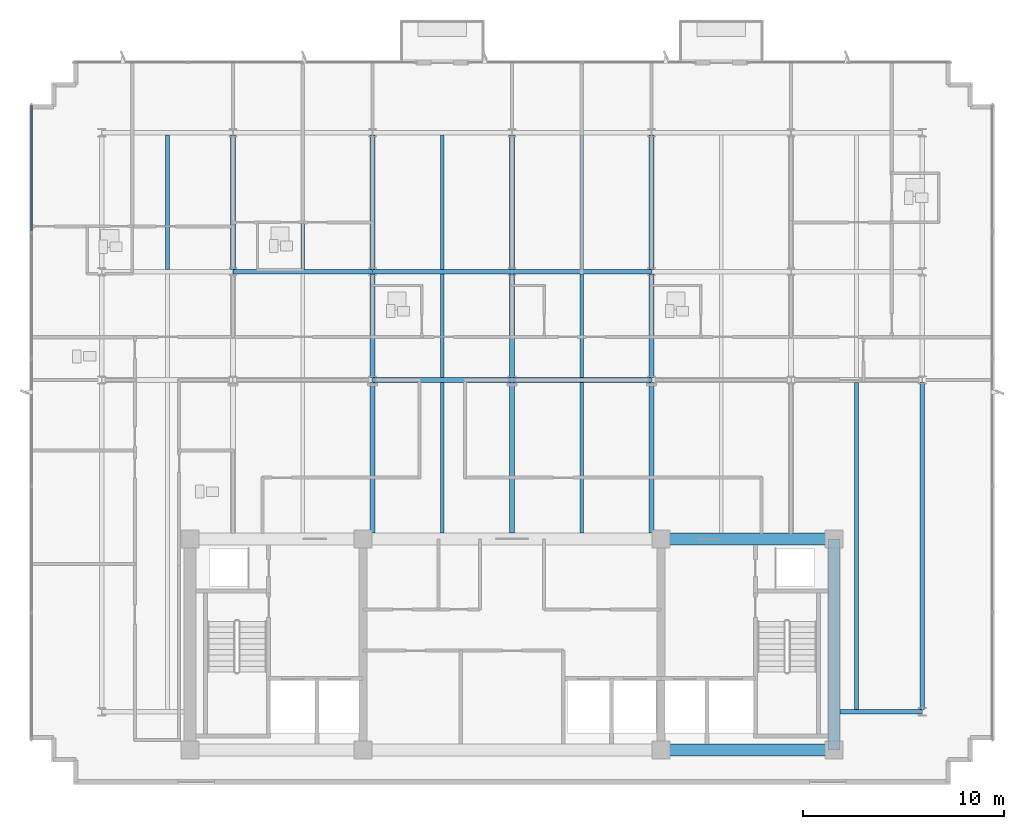
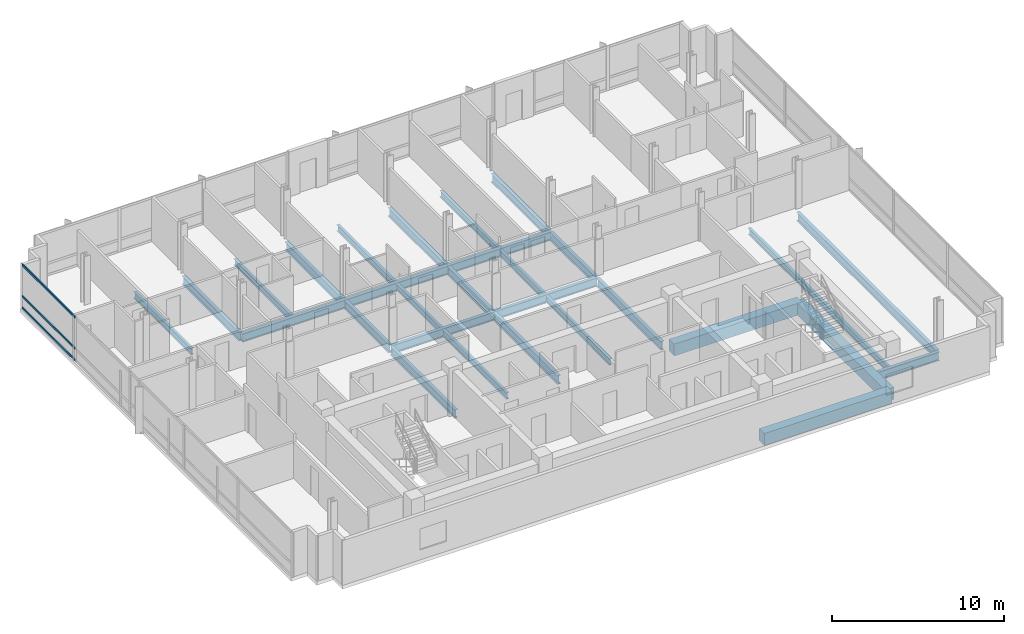
# One storey, part 3 of 14: 29 beams, 3 members, 1 element without a shape of its own.
"""IFC4 building model written with IfcOpenShell, lengths in metres."""

from ifc_helpers import new_model, si_unit, direction, frame, origin, origin_2d, place, context, subcontext, project, spatial, rectangle, i_section, extrude, material, material_profile, profile_set, type_object, element, aggregate, save


model = new_model("IFC4")

# Units and contexts
model_context = context("Model", 3, precision=1e-05, world=origin(), true_north=direction((0.0, 1.0)))
body_context = subcontext(model_context, "Body", "Model", "MODEL_VIEW")
ifc_project = project(units=[si_unit("LENGTHUNIT", "METRE"), si_unit("AREAUNIT", "SQUARE_METRE"), si_unit("VOLUMEUNIT", "CUBIC_METRE"), si_unit("PLANEANGLEUNIT", "RADIAN"), si_unit("MASSUNIT", "GRAM", prefix="KILO")], contexts=[model_context])

# Site, building, storey
site_placement = place(None, origin())
site = spatial("IfcSite", under=ifc_project, at=site_placement, CompositionType="ELEMENT")
building_placement = place(site_placement, origin())
building = spatial("IfcBuilding", under=site, at=building_placement, Name="Solmavex Isthmus Hotel", CompositionType="ELEMENT")
storey_placement = place(building_placement, frame((0.0, 0.0, 255.75)))
storey = spatial("IfcBuildingStorey", under=building, at=storey_placement, Name="L69", CompositionType="ELEMENT", Elevation=255.75)

# Beams
ifc_material_1 = material(Name="Steel ASTM A992 Grade 50", Category="steel")
ifc_material_profile_1 = material_profile(ifc_material_1, i_section(OverallWidth=0.1904296875, OverallDepth=0.456787109375, WebThickness=0.009033203125, FlangeThickness=0.014404296875, FilletRadius=0.0126953125, at=origin_2d()), Name="W18X50")
ifc_profile_set_1 = profile_set([ifc_material_profile_1], Name="Steel ASTM A992 Grade 50")
beam_type_1 = type_object("IfcBeamType", Name="BM-BJ-W18X50", PredefinedType="JOIST", material=ifc_profile_set_1)
for number, where, z_axis, x_axis, name in (
    (1, (-17.135986328125, 10.90185546875, -0.488525390625), (0.0, 1.0, 0.0), (-1.0, 0.0, 0.0), "Secondary Floor Joist L69-J03"),
    (2, (-10.404052734375, 10.90185546875, -0.488525390625), (0.0, 1.0, 0.0), (-1.0, 0.0, 0.0), "Secondary Floor Joist L69-J06"),
):
    element("IfcBeam", number, at=place(storey_placement, frame(where, z_axis=z_axis, x_axis=x_axis)), inside=storey, type_object=beam_type_1, Name=name, PredefinedType="JOIST", context=body_context, shape_type="SweptSolid", body=[
        extrude(i_section(OverallWidth=0.1904296875, OverallDepth=0.456787109375, WebThickness=0.009033203125, FlangeThickness=0.014404296875, FilletRadius=0.0126953125, at=origin_2d()), origin(), (0.0, 0.0, 1.0), 6.682861328125),
    ])
beam_1_placement = place(storey_placement, frame((-3.468017578125, -2.199951171875, -0.488525390625), z_axis=(0.0, 1.0, 0.0), x_axis=(-1.0, 0.0, 0.0)))
element("IfcBeam", 3, at=beam_1_placement, inside=storey, type_object=beam_type_1, Name="Secondary Floor Joist L69-J07", PredefinedType="JOIST", context=body_context, shape_type="SweptSolid", body=[
    extrude(i_section(OverallWidth=0.1904296875, OverallDepth=0.456787109375, WebThickness=0.009033203125, FlangeThickness=0.014404296875, FilletRadius=0.0126953125, at=origin_2d()), origin(), (0.0, 0.0, 1.0), 7.486083984375),
])
beam_2_placement = place(storey_placement, frame((-3.468017578125, 5.513916015625, -0.488525390625), z_axis=(0.0, 1.0, 0.0), x_axis=(-1.0, 0.0, 0.0)))
element("IfcBeam", 4, at=beam_2_placement, inside=storey, type_object=beam_type_1, Name="Secondary Floor Joist L69-J08", PredefinedType="JOIST", context=body_context, shape_type="SweptSolid", body=[
    extrude(i_section(OverallWidth=0.1904296875, OverallDepth=0.456787109375, WebThickness=0.009033203125, FlangeThickness=0.014404296875, FilletRadius=0.0126953125, at=origin_2d()), origin(), (0.0, 0.0, 1.0), 5.16015625),
])
beam_3_placement = place(storey_placement, frame((-3.468017578125, 10.90185546875, -0.488525390625), z_axis=(0.0, 1.0, 0.0), x_axis=(-1.0, 0.0, 0.0)))
element("IfcBeam", 5, at=beam_3_placement, inside=storey, type_object=beam_type_1, Name="Secondary Floor Joist L69-J09", PredefinedType="JOIST", context=body_context, shape_type="SweptSolid", body=[
    extrude(i_section(OverallWidth=0.1904296875, OverallDepth=0.456787109375, WebThickness=0.009033203125, FlangeThickness=0.014404296875, FilletRadius=0.0126953125, at=origin_2d()), origin(), (0.0, 0.0, 1.0), 6.682861328125),
])
beam_4_placement = place(storey_placement, frame((3.468017578125, -2.199951171875, -0.488525390625), z_axis=(0.0, 1.0, 0.0), x_axis=(-1.0, 0.0, 0.0)))
element("IfcBeam", 6, at=beam_4_placement, inside=storey, type_object=beam_type_1, Name="Secondary Floor Joist L69-J10", PredefinedType="JOIST", context=body_context, shape_type="SweptSolid", body=[
    extrude(i_section(OverallWidth=0.1904296875, OverallDepth=0.456787109375, WebThickness=0.009033203125, FlangeThickness=0.014404296875, FilletRadius=0.0126953125, at=origin_2d()), origin(), (0.0, 0.0, 1.0), 7.486083984375),
])
beam_5_placement = place(storey_placement, frame((3.468017578125, 5.513916015625, -0.488525390625), z_axis=(0.0, 1.0, 0.0), x_axis=(-1.0, 0.0, 0.0)))
element("IfcBeam", 7, at=beam_5_placement, inside=storey, type_object=beam_type_1, Name="Secondary Floor Joist L69-J11", PredefinedType="JOIST", context=body_context, shape_type="SweptSolid", body=[
    extrude(i_section(OverallWidth=0.1904296875, OverallDepth=0.456787109375, WebThickness=0.009033203125, FlangeThickness=0.014404296875, FilletRadius=0.0126953125, at=origin_2d()), origin(), (0.0, 0.0, 1.0), 5.16015625),
])
beam_6_placement = place(storey_placement, frame((3.468017578125, 10.90185546875, -0.488525390625), z_axis=(0.0, 1.0, 0.0), x_axis=(-1.0, 0.0, 0.0)))
element("IfcBeam", 8, at=beam_6_placement, inside=storey, type_object=beam_type_1, Name="Secondary Floor Joist L69-J12", PredefinedType="JOIST", context=body_context, shape_type="SweptSolid", body=[
    extrude(i_section(OverallWidth=0.1904296875, OverallDepth=0.456787109375, WebThickness=0.009033203125, FlangeThickness=0.014404296875, FilletRadius=0.0126953125, at=origin_2d()), origin(), (0.0, 0.0, 1.0), 6.682861328125),
])
beam_7_placement = place(storey_placement, frame((17.135986328125, -10.98486328125, -0.488525390625), z_axis=(0.0, 1.0, 0.0), x_axis=(-1.0, 0.0, 0.0)))
element("IfcBeam", 9, at=beam_7_placement, inside=storey, type_object=beam_type_1, Name="Secondary Floor Joist L69-J16", PredefinedType="JOIST", context=body_context, shape_type="SweptSolid", body=[
    extrude(i_section(OverallWidth=0.1904296875, OverallDepth=0.456787109375, WebThickness=0.009033203125, FlangeThickness=0.014404296875, FilletRadius=0.0126953125, at=origin_2d()), origin(), (0.0, 0.0, 1.0), 16.27099609375),
])
ifc_material_profile_2 = material_profile(ifc_material_1, i_section(OverallWidth=0.227783203125, OverallDepth=0.602783203125, WebThickness=0.010498046875, FlangeThickness=0.014892578125, FilletRadius=0.01513671875, at=origin_2d()), Name="W24X68")
ifc_profile_set_2 = profile_set([ifc_material_profile_2], Name="Steel ASTM A992 Grade 50")
beam_type_2 = type_object("IfcBeamType", Name="BM-BM-W24X68", PredefinedType="BEAM", material=ifc_profile_set_2)
for number, where, z_axis, x_axis, name in (
    (10, (-6.93603515625, 5.39990234375, -0.561279296875), (1.0, 0.0, 0.0), (0.0, 1.0, 0.0), "Floor Girder L69-UG05"),
    (11, (0.0, 5.39990234375, -0.561279296875), (1.0, 0.0, 0.0), (0.0, 1.0, 0.0), "Floor Girder L69-UG06"),
    (12, (-13.8720703125, 10.7880859375, -0.561279296875), (1.0, 0.0, 0.0), (0.0, 1.0, 0.0), "Floor Girder L69-UG10"),
    (13, (-6.93603515625, 10.7880859375, -0.561279296875), (1.0, 0.0, 0.0), (0.0, 1.0, 0.0), "Floor Girder L69-UG11"),
    (14, (0.0, 10.7880859375, -0.561279296875), (1.0, 0.0, 0.0), (0.0, 1.0, 0.0), "Floor Girder L69-UG12"),
):
    element("IfcBeam", number, at=place(storey_placement, frame(where, z_axis=z_axis, x_axis=x_axis)), inside=storey, type_object=beam_type_2, Name=name, PredefinedType="BEAM", context=body_context, shape_type="SweptSolid", body=[
        extrude(i_section(OverallWidth=0.227783203125, OverallDepth=0.602783203125, WebThickness=0.010498046875, FlangeThickness=0.014892578125, FilletRadius=0.01513671875, at=origin_2d()), origin(), (0.0, 0.0, 1.0), 6.93603515625),
    ])
beam_8_placement = place(storey_placement, frame((-13.8720703125, 10.90185546875, -0.561279296875), z_axis=(0.0, 1.0, 0.0), x_axis=(-1.0, 0.0, 0.0)))
element("IfcBeam", 15, at=beam_8_placement, inside=storey, type_object=beam_type_2, Name="Floor Beam L69-VG26", PredefinedType="BEAM", context=body_context, shape_type="SweptSolid", body=[
    extrude(i_section(OverallWidth=0.227783203125, OverallDepth=0.602783203125, WebThickness=0.010498046875, FlangeThickness=0.014892578125, FilletRadius=0.01513671875, at=origin_2d()), origin(), (0.0, 0.0, 1.0), 6.682861328125),
])
beam_9_placement = place(storey_placement, frame((-6.93603515625, -2.199951171875, -0.561279296875), z_axis=(0.0, 1.0, 0.0), x_axis=(-1.0, 0.0, 0.0)))
element("IfcBeam", 16, at=beam_9_placement, inside=storey, type_object=beam_type_2, Name="Floor Beam L69-VG27", PredefinedType="BEAM", context=body_context, shape_type="SweptSolid", body=[
    extrude(i_section(OverallWidth=0.227783203125, OverallDepth=0.602783203125, WebThickness=0.010498046875, FlangeThickness=0.014892578125, FilletRadius=0.01513671875, at=origin_2d()), origin(), (0.0, 0.0, 1.0), 7.486083984375),
])
beam_10_placement = place(storey_placement, frame((-6.93603515625, 5.513916015625, -0.561279296875), z_axis=(0.0, 1.0, 0.0), x_axis=(-1.0, 0.0, 0.0)))
element("IfcBeam", 17, at=beam_10_placement, inside=storey, type_object=beam_type_2, Name="Floor Beam L69-VG28", PredefinedType="BEAM", context=body_context, shape_type="SweptSolid", body=[
    extrude(i_section(OverallWidth=0.227783203125, OverallDepth=0.602783203125, WebThickness=0.010498046875, FlangeThickness=0.014892578125, FilletRadius=0.01513671875, at=origin_2d()), origin(), (0.0, 0.0, 1.0), 5.16015625),
])
beam_11_placement = place(storey_placement, frame((-6.93603515625, 10.90185546875, -0.561279296875), z_axis=(0.0, 1.0, 0.0), x_axis=(-1.0, 0.0, 0.0)))
element("IfcBeam", 18, at=beam_11_placement, inside=storey, type_object=beam_type_2, Name="Floor Beam L69-VG29", PredefinedType="BEAM", context=body_context, shape_type="SweptSolid", body=[
    extrude(i_section(OverallWidth=0.227783203125, OverallDepth=0.602783203125, WebThickness=0.010498046875, FlangeThickness=0.014892578125, FilletRadius=0.01513671875, at=origin_2d()), origin(), (0.0, 0.0, 1.0), 6.682861328125),
])
beam_12_placement = place(storey_placement, frame((0.0, -2.199951171875, -0.561279296875), z_axis=(0.0, 1.0, 0.0), x_axis=(-1.0, 0.0, 0.0)))
element("IfcBeam", 19, at=beam_12_placement, inside=storey, type_object=beam_type_2, Name="Floor Beam L69-VG30", PredefinedType="BEAM", context=body_context, shape_type="SweptSolid", body=[
    extrude(i_section(OverallWidth=0.227783203125, OverallDepth=0.602783203125, WebThickness=0.010498046875, FlangeThickness=0.014892578125, FilletRadius=0.01513671875, at=origin_2d()), origin(), (0.0, 0.0, 1.0), 7.486083984375),
])
beam_13_placement = place(storey_placement, frame((0.0, 5.513916015625, -0.561279296875), z_axis=(0.0, 1.0, 0.0), x_axis=(-1.0, 0.0, 0.0)))
element("IfcBeam", 20, at=beam_13_placement, inside=storey, type_object=beam_type_2, Name="Floor Beam L69-VG31", PredefinedType="BEAM", context=body_context, shape_type="SweptSolid", body=[
    extrude(i_section(OverallWidth=0.227783203125, OverallDepth=0.602783203125, WebThickness=0.010498046875, FlangeThickness=0.014892578125, FilletRadius=0.01513671875, at=origin_2d()), origin(), (0.0, 0.0, 1.0), 5.16015625),
])
beam_14_placement = place(storey_placement, frame((0.0, 10.90185546875, -0.561279296875), z_axis=(0.0, 1.0, 0.0), x_axis=(-1.0, 0.0, 0.0)))
element("IfcBeam", 21, at=beam_14_placement, inside=storey, type_object=beam_type_2, Name="Floor Beam L69-VG32", PredefinedType="BEAM", context=body_context, shape_type="SweptSolid", body=[
    extrude(i_section(OverallWidth=0.227783203125, OverallDepth=0.602783203125, WebThickness=0.010498046875, FlangeThickness=0.014892578125, FilletRadius=0.01513671875, at=origin_2d()), origin(), (0.0, 0.0, 1.0), 6.682861328125),
])
beam_15_placement = place(storey_placement, frame((6.93603515625, -2.199951171875, -0.561279296875), z_axis=(0.0, 1.0, 0.0), x_axis=(-1.0, 0.0, 0.0)))
element("IfcBeam", 22, at=beam_15_placement, inside=storey, type_object=beam_type_2, Name="Floor Beam L69-VG33", PredefinedType="BEAM", context=body_context, shape_type="SweptSolid", body=[
    extrude(i_section(OverallWidth=0.227783203125, OverallDepth=0.602783203125, WebThickness=0.010498046875, FlangeThickness=0.014892578125, FilletRadius=0.01513671875, at=origin_2d()), origin(), (0.0, 0.0, 1.0), 7.486083984375),
])
beam_16_placement = place(storey_placement, frame((6.93603515625, 5.513916015625, -0.561279296875), z_axis=(0.0, 1.0, 0.0), x_axis=(-1.0, 0.0, 0.0)))
element("IfcBeam", 23, at=beam_16_placement, inside=storey, type_object=beam_type_2, Name="Floor Beam L69-VG34", PredefinedType="BEAM", context=body_context, shape_type="SweptSolid", body=[
    extrude(i_section(OverallWidth=0.227783203125, OverallDepth=0.602783203125, WebThickness=0.010498046875, FlangeThickness=0.014892578125, FilletRadius=0.01513671875, at=origin_2d()), origin(), (0.0, 0.0, 1.0), 5.16015625),
])
beam_17_placement = place(storey_placement, frame((6.93603515625, 10.90185546875, -0.561279296875), z_axis=(0.0, 1.0, 0.0), x_axis=(-1.0, 0.0, 0.0)))
element("IfcBeam", 24, at=beam_17_placement, inside=storey, type_object=beam_type_2, Name="Floor Beam L69-VG35", PredefinedType="BEAM", context=body_context, shape_type="SweptSolid", body=[
    extrude(i_section(OverallWidth=0.227783203125, OverallDepth=0.602783203125, WebThickness=0.010498046875, FlangeThickness=0.014892578125, FilletRadius=0.01513671875, at=origin_2d()), origin(), (0.0, 0.0, 1.0), 6.682861328125),
])
ifc_material_2 = material(Name="Concrete C50/60", Category="concrete")
ifc_material_profile_3 = material_profile(ifc_material_2, rectangle(XDim=0.60009765625, YDim=0.85009765625, at=origin_2d()), Name="RC600X850")
ifc_profile_set_3 = profile_set([ifc_material_profile_3], Name="Concrete C50/60")
beam_type_3 = type_object("IfcBeamType", Name="BM-CB-600X850", PredefinedType="BEAM", material=ifc_profile_set_3)
for number, where, z_axis, x_axis, name in (
    (25, (7.39990234375, -13.0, -0.68505859375), (1.0, 0.0, 0.0), (0.0, 1.0, 0.0), "Core Coupling Beam L69-CB3"),
    (26, (7.39990234375, -2.5, -0.68505859375), (1.0, 0.0, 0.0), (0.0, 1.0, 0.0), "Core Coupling Beam L69-CB6"),
):
    element("IfcBeam", number, at=place(storey_placement, frame(where, z_axis=z_axis, x_axis=x_axis)), inside=storey, type_object=beam_type_3, Name=name, PredefinedType="BEAM", context=body_context, shape_type="SweptSolid", body=[
        extrude(rectangle(XDim=0.60009765625, YDim=0.85009765625, at=origin_2d()), origin(), (0.0, 0.0, 1.0), 8.60009765625),
    ])
beam_18_placement = place(storey_placement, frame((16.0, -13.0, -0.68505859375), z_axis=(0.0, 1.0, 0.0), x_axis=(-1.0, 0.0, 0.0)))
element("IfcBeam", 27, at=beam_18_placement, inside=storey, type_object=beam_type_3, Name="Core Coupling Beam L69-CB8", PredefinedType="BEAM", context=body_context, shape_type="SweptSolid", body=[
    extrude(rectangle(XDim=0.60009765625, YDim=0.85009765625, at=origin_2d()), origin(), (0.0, 0.0, 1.0), 10.5),
])
ifc_material_profile_4 = material_profile(ifc_material_1, i_section(OverallWidth=0.230224609375, OverallDepth=0.617431640625, WebThickness=0.01318359375, FlangeThickness=0.022216796875, FilletRadius=0.01513671875, at=origin_2d()), Name="W24X94")
ifc_profile_set_4 = profile_set([ifc_material_profile_4], Name="Steel ASTM A992 Grade 50")
beam_type_4 = type_object("IfcBeamType", Name="BM-SP-W24X94", PredefinedType="SPANDREL", material=ifc_profile_set_4)
beam_19_placement = place(storey_placement, frame((16.300048828125, -11.10009765625, -0.56884765625), z_axis=(1.0, 0.0, 0.0), x_axis=(0.0, 1.0, 0.0)))
element("IfcBeam", 28, at=beam_19_placement, inside=storey, type_object=beam_type_4, Name="Floor Girder L69-UG02", PredefinedType="SPANDREL", context=body_context, shape_type="SweptSolid", body=[
    extrude(i_section(OverallWidth=0.230224609375, OverallDepth=0.617431640625, WebThickness=0.01318359375, FlangeThickness=0.022216796875, FilletRadius=0.01513671875, at=origin_2d()), origin(), (0.0, 0.0, 1.0), 4.099853515625),
])
beam_20_placement = place(storey_placement, frame((20.39990234375, -10.98486328125, -0.56884765625), z_axis=(0.0, 1.0, 0.0), x_axis=(-1.0, 0.0, 0.0)))
element("IfcBeam", 29, at=beam_20_placement, inside=storey, type_object=beam_type_4, Name="Floor Beam L69-VG39", PredefinedType="SPANDREL", context=body_context, shape_type="SweptSolid", body=[
    extrude(i_section(OverallWidth=0.230224609375, OverallDepth=0.617431640625, WebThickness=0.01318359375, FlangeThickness=0.022216796875, FilletRadius=0.01513671875, at=origin_2d()), origin(), (0.0, 0.0, 1.0), 16.27099609375),
])

# Curtain wall, members
ifc_material_3 = material(Name="Aluminium alloy 6063-T6", Category="aluminium")
curtain_wall_type = type_object("IfcCurtainWallType", Name="CW-SYS-04", PredefinedType="NOTDEFINED", material=ifc_material_3)
curtain_wall_placement = place(storey_placement, origin())
curtain_wall = element("IfcCurtainWall", 30, at=curtain_wall_placement, inside=storey, type_object=curtain_wall_type, Name="Stick Curtain Wall CWL-L69-W1", PredefinedType="NOTDEFINED")
ifc_material_profile_5 = material_profile(ifc_material_3, rectangle(XDim=0.074951171875, YDim=0.14990234375, at=origin_2d()), Name="CWT-75X150")
ifc_profile_set_5 = profile_set([ifc_material_profile_5], Name="Aluminium alloy 6063-T6")
member_type = type_object("IfcMemberType", Name="CW-SYS-04-TRN", PredefinedType="USERDEFINED", material=ifc_profile_set_5)
member_1_placement = place(storey_placement, frame((-23.8798828125, 12.8173828125, 0.074951171875), z_axis=(0.0, 1.0, 0.0), x_axis=(-1.0, 0.0, 0.0)))
member_1 = element("IfcMember", 31, at=member_1_placement, type_object=member_type, Name="CW-04 transom 5.1", ObjectType="TRANSOM", PredefinedType="USERDEFINED", context=body_context, shape_type="SweptSolid", body=[
    extrude(rectangle(XDim=0.074951171875, YDim=0.14990234375, at=origin_2d()), origin(), (0.0, 0.0, 1.0), 6.20751953125),
])
member_2_placement = place(storey_placement, frame((-23.8798828125, 12.8173828125, 0.89990234375), z_axis=(0.0, 1.0, 0.0), x_axis=(-1.0, 0.0, 0.0)))
member_2 = element("IfcMember", 32, at=member_2_placement, type_object=member_type, Name="CW-04 transom 5.2", ObjectType="TRANSOM", PredefinedType="USERDEFINED", context=body_context, shape_type="SweptSolid", body=[
    extrude(rectangle(XDim=0.074951171875, YDim=0.14990234375, at=origin_2d()), origin(), (0.0, 0.0, 1.0), 6.20751953125),
])
member_3_placement = place(storey_placement, frame((-23.8798828125, 12.8173828125, 3.114990234375), z_axis=(0.0, 1.0, 0.0), x_axis=(-1.0, 0.0, 0.0)))
member_3 = element("IfcMember", 33, at=member_3_placement, type_object=member_type, Name="CW-04 transom 5.3", ObjectType="TRANSOM", PredefinedType="USERDEFINED", context=body_context, shape_type="SweptSolid", body=[
    extrude(rectangle(XDim=0.074951171875, YDim=0.14990234375, at=origin_2d()), origin(), (0.0, 0.0, 1.0), 6.20751953125),
])
aggregate(curtain_wall, [member_1, member_2, member_3])

save(model, "model.ifc")
